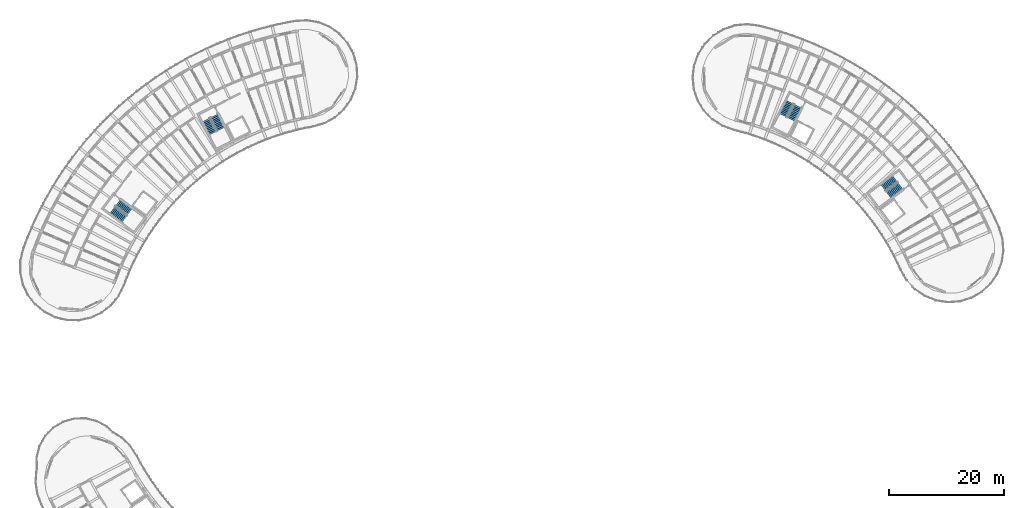
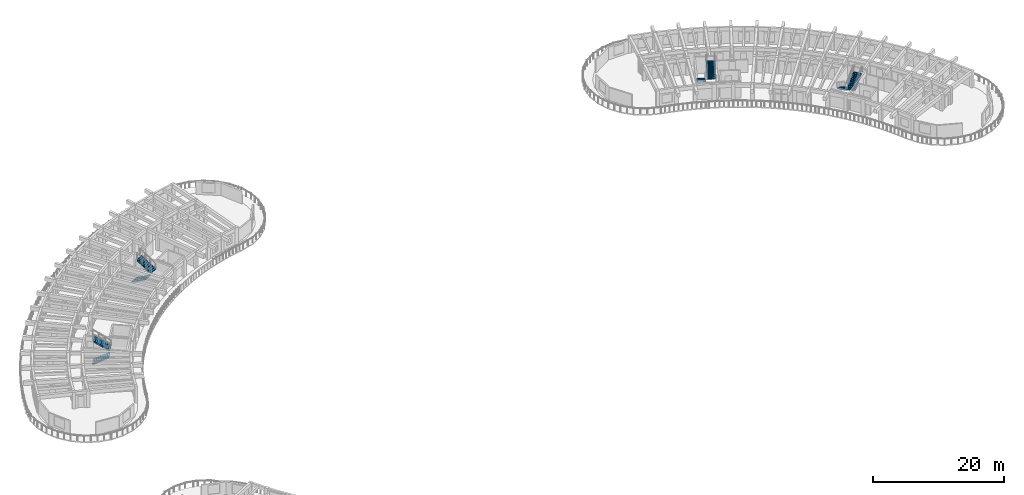
# One storey, part 27 of 41: 8 stair flights, 4 elements without a shape of their own.
"""IFC4 building model written with IfcOpenShell, lengths in metres."""

from ifc_helpers import new_model, si_unit, direction, frame, origin, place, context, subcontext, project, spatial, polyline, outline, extrude, material, layer, layer_set, type_object, element, aggregate, save


model = new_model("IFC4")

# Units and contexts
model_context = context("Model", 3, precision=1e-05, world=origin(), true_north=direction((0.0, 1.0)))
body_context = subcontext(model_context, "Body", "Model", "MODEL_VIEW")
ifc_project = project(units=[si_unit("LENGTHUNIT", "METRE"), si_unit("AREAUNIT", "SQUARE_METRE"), si_unit("VOLUMEUNIT", "CUBIC_METRE"), si_unit("PLANEANGLEUNIT", "RADIAN"), si_unit("MASSUNIT", "GRAM", prefix="KILO")], contexts=[model_context])

# Site, building, storey
site_placement = place(None, origin())
site = spatial("IfcSite", under=ifc_project, at=site_placement, CompositionType="ELEMENT")
building_placement = place(site_placement, origin())
building = spatial("IfcBuilding", under=site, at=building_placement, Name="Tanwirah Colonnade Gardens", CompositionType="ELEMENT")
storey_placement = place(building_placement, frame((0.0, 0.0, 35.719970703125)))
storey = spatial("IfcBuildingStorey", under=building, at=storey_placement, Name="L10", CompositionType="ELEMENT", Elevation=35.719970703125)

# Stair, stair flights
ifc_material = material(Name="Precast concrete C40/50", Category="concrete")
stair_type = type_object("IfcStairType", Name="ST-RES168", PredefinedType="HALF_TURN_STAIR", material=ifc_material)
stair_1_placement = place(storey_placement, origin())
stair_1 = element("IfcStair", 1, at=stair_1_placement, inside=storey, type_object=stair_type, Name="L10 Block A Core 1 Exit Stair", PredefinedType="HALF_TURN_STAIR")
ifc_layer = layer(ifc_material, 0.14990234375)
ifc_layer_set = layer_set([ifc_layer], Name="Precast concrete C40/50")
stair_flight_type = type_object("IfcStairFlightType", Name="FLT-RES150", PredefinedType="STRAIGHT", material=ifc_layer_set)
stair_flight_1_placement = place(storey_placement, frame((39.148681640625, 103.425048828125, 0.0), z_axis=(0.0, 0.0, 1.0), x_axis=(0.45399049974, -0.891006524188, 0.0)))
stair_flight_1 = element("IfcStairFlight", 2, at=stair_flight_1_placement, type_object=stair_flight_type, Name="ST-A1 flight 1", NumberOfRisers=10, NumberOfTreads=9, PredefinedType="STRAIGHT", RiserHeight=0.168, TreadLength=0.285, context=body_context, shape_type="SweptSolid", body=[
    extrude(outline(polyline([(-0.0048828125, 0.0), (0.0, 0.16796875), (0.284912109375, 0.16796875), (0.284912109375, 0.3359375), (0.570068359375, 0.3359375), (0.570068359375, 0.50390625), (0.85498046875, 0.50390625), (0.85498046875, 0.672119140625), (1.139892578125, 0.672119140625), (1.139892578125, 0.840087890625), (1.425048828125, 0.840087890625), (1.425048828125, 1.008056640625), (1.7099609375, 1.008056640625), (1.7099609375, 1.176025390625), (1.9951171875, 1.176025390625), (1.9951171875, 1.343994140625), (2.280029296875, 1.343994140625), (2.280029296875, 1.511962890625), (2.56494140625, 1.511962890625), (2.570068359375, 1.679931640625), (2.570068359375, 1.337890625), (0.30029296875, 0.0), (-0.0048828125, 0.0)])), frame((0.0, 0.68994140625, 0.0), z_axis=(0.0, -1.0, 0.0), x_axis=(1.0, 0.0, 0.0)), (0.0, 0.0, 1.0), 1.3798828125),
])
stair_flight_2_placement = place(storey_placement, frame((41.685302734375, 101.838623046875, 1.679931640625), z_axis=(0.0, 0.0, 1.0), x_axis=(-0.45399049974, 0.891006524188, 0.0)))
stair_flight_2 = element("IfcStairFlight", 3, at=stair_flight_2_placement, type_object=stair_flight_type, Name="ST-A1 flight 2", NumberOfRisers=10, NumberOfTreads=9, PredefinedType="STRAIGHT", RiserHeight=0.168, TreadLength=0.285, context=body_context, shape_type="SweptSolid", body=[
    extrude(outline(polyline([(-0.0048828125, 0.0), (0.0, 0.16796875), (0.284912109375, 0.16796875), (0.284912109375, 0.3359375), (0.570068359375, 0.3359375), (0.570068359375, 0.50390625), (0.85498046875, 0.50390625), (0.85498046875, 0.672119140625), (1.139892578125, 0.672119140625), (1.139892578125, 0.840087890625), (1.425048828125, 0.840087890625), (1.425048828125, 1.008056640625), (1.7099609375, 1.008056640625), (1.7099609375, 1.176025390625), (1.9951171875, 1.176025390625), (1.9951171875, 1.343994140625), (2.280029296875, 1.343994140625), (2.280029296875, 1.511962890625), (2.56494140625, 1.511962890625), (2.570068359375, 1.679931640625), (2.570068359375, 1.337890625), (0.30029296875, 0.0), (-0.0048828125, 0.0)])), frame((0.0, 0.68994140625, 0.0), z_axis=(0.0, -1.0, 0.0), x_axis=(1.0, 0.0, 0.0)), (0.0, 0.0, 1.0), 1.3798828125),
])
aggregate(stair_1, [stair_flight_1, stair_flight_2])

stair_2_placement = place(storey_placement, origin())
stair_2 = element("IfcStair", 4, at=stair_2_placement, inside=storey, type_object=stair_type, Name="L10 Block A Core 2 Exit Stair", PredefinedType="HALF_TURN_STAIR")
stair_flight_3_placement = place(storey_placement, frame((22.81640625, 87.7177734375, 0.0), z_axis=(0.0, 0.0, 1.0), x_axis=(0.798635510047, -0.601815023152, 0.0)))
stair_flight_3 = element("IfcStairFlight", 5, at=stair_flight_3_placement, type_object=stair_flight_type, Name="ST-A2 flight 1", NumberOfRisers=10, NumberOfTreads=9, PredefinedType="STRAIGHT", RiserHeight=0.168, TreadLength=0.285, context=body_context, shape_type="SweptSolid", body=[
    extrude(outline(polyline([(-0.0048828125, 0.0), (0.0, 0.16796875), (0.284912109375, 0.16796875), (0.284912109375, 0.3359375), (0.570068359375, 0.3359375), (0.570068359375, 0.50390625), (0.85498046875, 0.50390625), (0.85498046875, 0.672119140625), (1.139892578125, 0.672119140625), (1.139892578125, 0.840087890625), (1.425048828125, 0.840087890625), (1.425048828125, 1.008056640625), (1.7099609375, 1.008056640625), (1.7099609375, 1.176025390625), (1.9951171875, 1.176025390625), (1.9951171875, 1.343994140625), (2.280029296875, 1.343994140625), (2.280029296875, 1.511962890625), (2.56494140625, 1.511962890625), (2.570068359375, 1.679931640625), (2.570068359375, 1.337890625), (0.30029296875, 0.0), (-0.0048828125, 0.0)])), frame((0.0, 0.68994140625, 0.0), z_axis=(0.0, -1.0, 0.0), x_axis=(1.0, 0.0, 0.0)), (0.0, 0.0, 1.0), 1.3798828125),
])
stair_flight_4_placement = place(storey_placement, frame((25.791748046875, 87.404052734375, 1.679931640625), z_axis=(0.0, 0.0, 1.0), x_axis=(-0.798635510047, 0.601815023152, 0.0)))
stair_flight_4 = element("IfcStairFlight", 6, at=stair_flight_4_placement, type_object=stair_flight_type, Name="ST-A2 flight 2", NumberOfRisers=10, NumberOfTreads=9, PredefinedType="STRAIGHT", RiserHeight=0.168, TreadLength=0.285, context=body_context, shape_type="SweptSolid", body=[
    extrude(outline(polyline([(-0.0048828125, 0.0), (0.0, 0.16796875), (0.284912109375, 0.16796875), (0.284912109375, 0.3359375), (0.570068359375, 0.3359375), (0.570068359375, 0.50390625), (0.85498046875, 0.50390625), (0.85498046875, 0.672119140625), (1.139892578125, 0.672119140625), (1.139892578125, 0.840087890625), (1.425048828125, 0.840087890625), (1.425048828125, 1.008056640625), (1.7099609375, 1.008056640625), (1.7099609375, 1.176025390625), (1.9951171875, 1.176025390625), (1.9951171875, 1.343994140625), (2.280029296875, 1.343994140625), (2.280029296875, 1.511962890625), (2.56494140625, 1.511962890625), (2.570068359375, 1.679931640625), (2.570068359375, 1.337890625), (0.30029296875, 0.0), (-0.0048828125, 0.0)])), frame((0.0, 0.68994140625, 0.0), z_axis=(0.0, -1.0, 0.0), x_axis=(1.0, 0.0, 0.0)), (0.0, 0.0, 1.0), 1.3798828125),
])
aggregate(stair_2, [stair_flight_3, stair_flight_4])

stair_3_placement = place(storey_placement, origin())
stair_3 = element("IfcStair", 7, at=stair_3_placement, inside=storey, type_object=stair_type, Name="L10 Block B Core 1 Exit Stair", PredefinedType="HALF_TURN_STAIR")
stair_flight_5_placement = place(storey_placement, frame((159.079345703125, 93.16455078125, 0.0), z_axis=(0.0, 0.0, 1.0), x_axis=(-0.798635510047, -0.601815023152, 0.0)))
stair_flight_5 = element("IfcStairFlight", 8, at=stair_flight_5_placement, type_object=stair_flight_type, Name="ST-B1 flight 1", NumberOfRisers=10, NumberOfTreads=9, PredefinedType="STRAIGHT", RiserHeight=0.168, TreadLength=0.285, context=body_context, shape_type="SweptSolid", body=[
    extrude(outline(polyline([(-0.0048828125, 0.0), (0.0, 0.16796875), (0.284912109375, 0.16796875), (0.284912109375, 0.3359375), (0.570068359375, 0.3359375), (0.570068359375, 0.50390625), (0.85498046875, 0.50390625), (0.85498046875, 0.672119140625), (1.139892578125, 0.672119140625), (1.139892578125, 0.840087890625), (1.425048828125, 0.840087890625), (1.425048828125, 1.008056640625), (1.7099609375, 1.008056640625), (1.7099609375, 1.176025390625), (1.9951171875, 1.176025390625), (1.9951171875, 1.343994140625), (2.280029296875, 1.343994140625), (2.280029296875, 1.511962890625), (2.56494140625, 1.511962890625), (2.570068359375, 1.679931640625), (2.570068359375, 1.337890625), (0.30029296875, 0.0), (-0.0048828125, 0.0)])), frame((0.0, 0.68994140625, 0.0), z_axis=(0.0, -1.0, 0.0), x_axis=(1.0, 0.0, 0.0)), (0.0, 0.0, 1.0), 1.3798828125),
])
stair_flight_6_placement = place(storey_placement, frame((157.95751953125, 90.39111328125, 1.679931640625), z_axis=(0.0, 0.0, 1.0), x_axis=(0.798635510047, 0.601815023152, 0.0)))
stair_flight_6 = element("IfcStairFlight", 9, at=stair_flight_6_placement, type_object=stair_flight_type, Name="ST-B1 flight 2", NumberOfRisers=10, NumberOfTreads=9, PredefinedType="STRAIGHT", RiserHeight=0.168, TreadLength=0.285, context=body_context, shape_type="SweptSolid", body=[
    extrude(outline(polyline([(-0.0048828125, 0.0), (0.0, 0.16796875), (0.284912109375, 0.16796875), (0.284912109375, 0.3359375), (0.570068359375, 0.3359375), (0.570068359375, 0.50390625), (0.85498046875, 0.50390625), (0.85498046875, 0.672119140625), (1.139892578125, 0.672119140625), (1.139892578125, 0.840087890625), (1.425048828125, 0.840087890625), (1.425048828125, 1.008056640625), (1.7099609375, 1.008056640625), (1.7099609375, 1.176025390625), (1.9951171875, 1.176025390625), (1.9951171875, 1.343994140625), (2.280029296875, 1.343994140625), (2.280029296875, 1.511962890625), (2.56494140625, 1.511962890625), (2.570068359375, 1.679931640625), (2.570068359375, 1.337890625), (0.30029296875, 0.0), (-0.0048828125, 0.0)])), frame((0.0, 0.68994140625, 0.0), z_axis=(0.0, -1.0, 0.0), x_axis=(1.0, 0.0, 0.0)), (0.0, 0.0, 1.0), 1.3798828125),
])
aggregate(stair_3, [stair_flight_5, stair_flight_6])

stair_4_placement = place(storey_placement, origin())
stair_4 = element("IfcStair", 10, at=stair_4_placement, inside=storey, type_object=stair_type, Name="L10 Block B Core 2 Exit Stair", PredefinedType="HALF_TURN_STAIR")
stair_flight_7_placement = place(storey_placement, frame((140.774658203125, 106.521240234375, 0.0), z_axis=(0.0, 0.0, 1.0), x_axis=(-0.45399049974, -0.891006524188, 0.0)))
stair_flight_7 = element("IfcStairFlight", 11, at=stair_flight_7_placement, type_object=stair_flight_type, Name="ST-B2 flight 1", NumberOfRisers=10, NumberOfTreads=9, PredefinedType="STRAIGHT", RiserHeight=0.168, TreadLength=0.285, context=body_context, shape_type="SweptSolid", body=[
    extrude(outline(polyline([(-0.0048828125, 0.0), (0.0, 0.16796875), (0.284912109375, 0.16796875), (0.284912109375, 0.3359375), (0.570068359375, 0.3359375), (0.570068359375, 0.50390625), (0.85498046875, 0.50390625), (0.85498046875, 0.672119140625), (1.139892578125, 0.672119140625), (1.139892578125, 0.840087890625), (1.425048828125, 0.840087890625), (1.425048828125, 1.008056640625), (1.7099609375, 1.008056640625), (1.7099609375, 1.176025390625), (1.9951171875, 1.176025390625), (1.9951171875, 1.343994140625), (2.280029296875, 1.343994140625), (2.280029296875, 1.511962890625), (2.56494140625, 1.511962890625), (2.570068359375, 1.679931640625), (2.570068359375, 1.337890625), (0.30029296875, 0.0), (-0.0048828125, 0.0)])), frame((0.0, 0.68994140625, 0.0), z_axis=(0.0, -1.0, 0.0), x_axis=(1.0, 0.0, 0.0)), (0.0, 0.0, 1.0), 1.3798828125),
])
stair_flight_8_placement = place(storey_placement, frame((140.982421875, 103.53662109375, 1.679931640625), z_axis=(0.0, 0.0, 1.0), x_axis=(0.45399049974, 0.891006524188, 0.0)))
stair_flight_8 = element("IfcStairFlight", 12, at=stair_flight_8_placement, type_object=stair_flight_type, Name="ST-B2 flight 2", NumberOfRisers=10, NumberOfTreads=9, PredefinedType="STRAIGHT", RiserHeight=0.168, TreadLength=0.285, context=body_context, shape_type="SweptSolid", body=[
    extrude(outline(polyline([(-0.0048828125, 0.0), (0.0, 0.16796875), (0.284912109375, 0.16796875), (0.284912109375, 0.3359375), (0.570068359375, 0.3359375), (0.570068359375, 0.50390625), (0.85498046875, 0.50390625), (0.85498046875, 0.672119140625), (1.139892578125, 0.672119140625), (1.139892578125, 0.840087890625), (1.425048828125, 0.840087890625), (1.425048828125, 1.008056640625), (1.7099609375, 1.008056640625), (1.7099609375, 1.176025390625), (1.9951171875, 1.176025390625), (1.9951171875, 1.343994140625), (2.280029296875, 1.343994140625), (2.280029296875, 1.511962890625), (2.56494140625, 1.511962890625), (2.570068359375, 1.679931640625), (2.570068359375, 1.337890625), (0.30029296875, 0.0), (-0.0048828125, 0.0)])), frame((0.0, 0.68994140625, 0.0), z_axis=(0.0, -1.0, 0.0), x_axis=(1.0, 0.0, 0.0)), (0.0, 0.0, 1.0), 1.3798828125),
])
aggregate(stair_4, [stair_flight_7, stair_flight_8])

save(model, "model.ifc")
